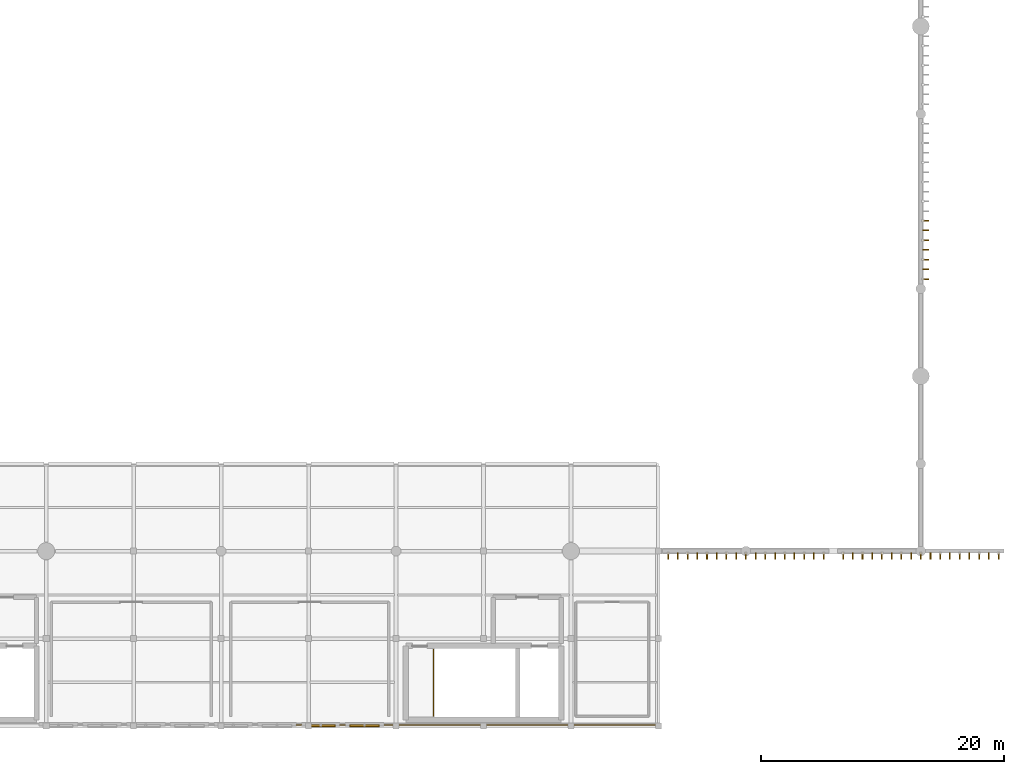
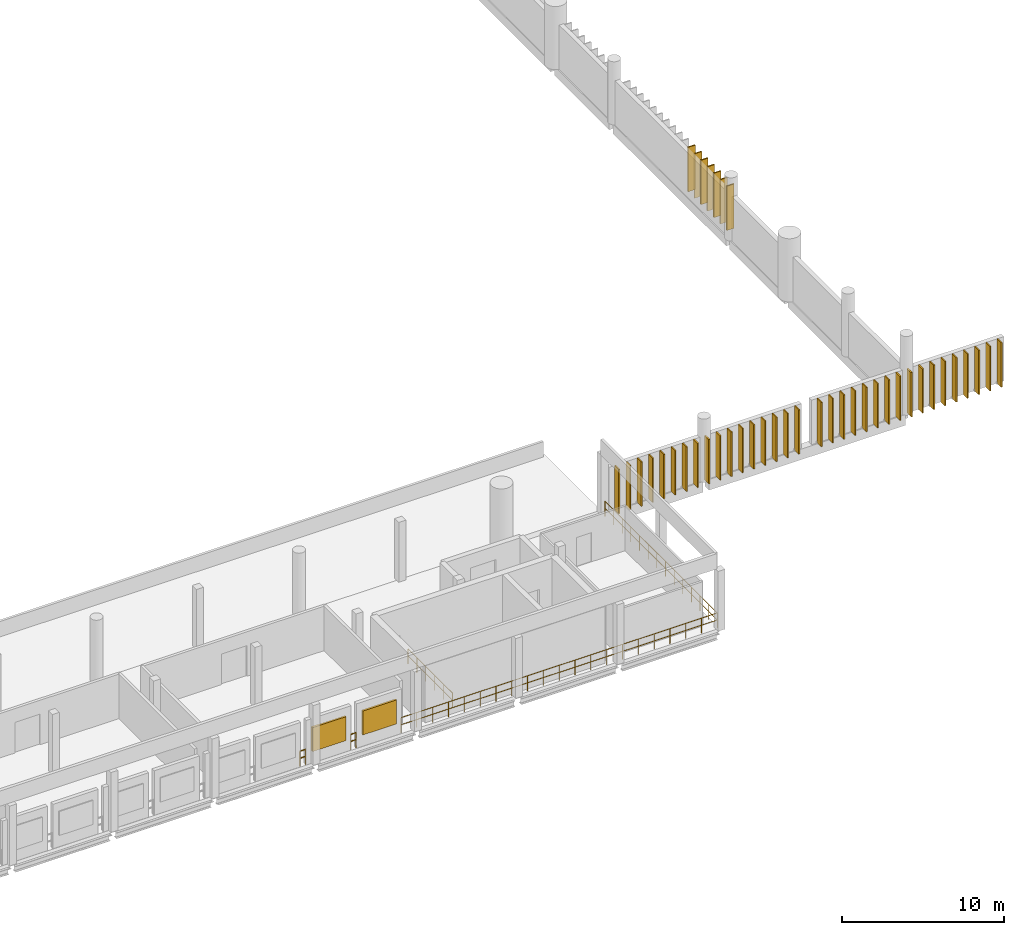
# One storey, part 60 of 64: 41 coverings, 24 shading devices, 4 railings.
"""IFC4 building model written with IfcOpenShell, lengths in metres."""

from ifc_helpers import new_model, si_unit, direction, frame, origin, origin_2d, place, context, subcontext, project, spatial, rectangle, circle, extrude, material, layer, layer_set, type_object, element, save


model = new_model("IFC4")

# Units and contexts
model_context = context("Model", 3, precision=1e-05, world=origin(), true_north=direction((0.0, 1.0)))
body_context = subcontext(model_context, "Body", "Model", "MODEL_VIEW")
ifc_project = project(units=[si_unit("LENGTHUNIT", "METRE"), si_unit("AREAUNIT", "SQUARE_METRE"), si_unit("VOLUMEUNIT", "CUBIC_METRE"), si_unit("PLANEANGLEUNIT", "RADIAN"), si_unit("MASSUNIT", "GRAM", prefix="KILO")], contexts=[model_context])

# Site, building, storey
site_placement = place(None, origin())
site = spatial("IfcSite", under=ifc_project, at=site_placement, CompositionType="ELEMENT")
building_placement = place(site_placement, origin())
building = spatial("IfcBuilding", under=site, at=building_placement, Name="Qandorah Velis Arena", CompositionType="ELEMENT")
storey_placement = place(building_placement, frame((0.0, 0.0, 23.0)))
storey = spatial("IfcBuildingStorey", under=building, at=storey_placement, Name="L05", CompositionType="ELEMENT", Elevation=23.0)

# Coverings
ifc_material_1 = material(Name="Champagne-bronze anodized aluminium 6063-T6", Category="aluminium")
ifc_layer_1 = layer(ifc_material_1, 0.0849609375)
ifc_layer_set_1 = layer_set([ifc_layer_1], Name="Champagne-bronze anodized aluminium 6063-T6")
covering_type = type_object("IfcCoveringType", Name="ARC-COV-FIN520", PredefinedType="CLADDING", material=ifc_layer_set_1)
for number, where, z_axis, x_axis, name in (
    (1, (115.60205078125, 36.800048828125, 0.0), (0.0, 0.0, 1.0), (1.0, 0.0, 0.0), "Vertical champagne-bronze solar fin blade DRM-2-03-L05-001"),
    (2, (115.60205078125, 37.60009765625, 0.0), (0.0, 0.0, 1.0), (1.0, 0.0, 0.0), "Vertical champagne-bronze solar fin blade DRM-2-03-L05-002"),
    (3, (115.60205078125, 38.39990234375, 0.0), (0.0, 0.0, 1.0), (1.0, 0.0, 0.0), "Vertical champagne-bronze solar fin blade DRM-2-03-L05-003"),
    (4, (115.60205078125, 39.199951171875, 0.0), (0.0, 0.0, 1.0), (1.0, 0.0, 0.0), "Vertical champagne-bronze solar fin blade DRM-2-03-L05-004"),
    (5, (115.60205078125, 40.0, 0.0), (0.0, 0.0, 1.0), (1.0, 0.0, 0.0), "Vertical champagne-bronze solar fin blade DRM-2-03-L05-005"),
    (6, (115.60205078125, 40.800048828125, 0.0), (0.0, 0.0, 1.0), (1.0, 0.0, 0.0), "Vertical champagne-bronze solar fin blade DRM-2-03-L05-006"),
    (7, (115.60205078125, 41.60009765625, 0.0), (0.0, 0.0, 1.0), (1.0, 0.0, 0.0), "Vertical champagne-bronze solar fin blade DRM-2-03-L05-007"),
):
    element("IfcCovering", number, at=place(storey_placement, frame(where, z_axis=z_axis, x_axis=x_axis)), inside=storey, type_object=covering_type, Name=name, PredefinedType="CLADDING", context=body_context, shape_type="SweptSolid", body=[
        extrude(rectangle(XDim=0.52001953125, YDim=0.0849609375, at=origin_2d()), origin(), (0.0, 0.0, 1.0), 3.340087890625),
    ])
for number, where, z_axis, x_axis, name in (
    (8, (94.39990234375, 13.998046875, 0.0), (0.0, 0.0, 1.0), (1.0, 0.0, 0.0), "Vertical champagne-bronze solar fin blade DRM-3-01-L05-001"),
    (9, (95.199951171875, 13.998046875, 0.0), (0.0, 0.0, 1.0), (1.0, 0.0, 0.0), "Vertical champagne-bronze solar fin blade DRM-3-01-L05-002"),
    (10, (96.0, 13.998046875, 0.0), (0.0, 0.0, 1.0), (1.0, 0.0, 0.0), "Vertical champagne-bronze solar fin blade DRM-3-01-L05-003"),
    (11, (96.800048828125, 13.998046875, 0.0), (0.0, 0.0, 1.0), (1.0, 0.0, 0.0), "Vertical champagne-bronze solar fin blade DRM-3-01-L05-004"),
    (12, (97.60009765625, 13.998046875, 0.0), (0.0, 0.0, 1.0), (1.0, 0.0, 0.0), "Vertical champagne-bronze solar fin blade DRM-3-01-L05-005"),
    (13, (98.39990234375, 13.998046875, 0.0), (0.0, 0.0, 1.0), (1.0, 0.0, 0.0), "Vertical champagne-bronze solar fin blade DRM-3-01-L05-006"),
    (14, (99.199951171875, 13.998046875, 0.0), (0.0, 0.0, 1.0), (1.0, 0.0, 0.0), "Vertical champagne-bronze solar fin blade DRM-3-01-L05-007"),
    (15, (100.0, 13.998046875, 0.0), (0.0, 0.0, 1.0), (1.0, 0.0, 0.0), "Vertical champagne-bronze solar fin blade DRM-3-01-L05-008"),
    (16, (100.800048828125, 13.998046875, 0.0), (0.0, 0.0, 1.0), (1.0, 0.0, 0.0), "Vertical champagne-bronze solar fin blade DRM-3-01-L05-009"),
    (17, (101.60009765625, 13.998046875, 0.0), (0.0, 0.0, 1.0), (1.0, 0.0, 0.0), "Vertical champagne-bronze solar fin blade DRM-3-01-L05-010"),
    (18, (102.39990234375, 13.998046875, 0.0), (0.0, 0.0, 1.0), (1.0, 0.0, 0.0), "Vertical champagne-bronze solar fin blade DRM-3-01-L05-011"),
    (19, (103.199951171875, 13.998046875, 0.0), (0.0, 0.0, 1.0), (1.0, 0.0, 0.0), "Vertical champagne-bronze solar fin blade DRM-3-01-L05-012"),
    (20, (104.0, 13.998046875, 0.0), (0.0, 0.0, 1.0), (1.0, 0.0, 0.0), "Vertical champagne-bronze solar fin blade DRM-3-01-L05-013"),
    (21, (104.800048828125, 13.998046875, 0.0), (0.0, 0.0, 1.0), (1.0, 0.0, 0.0), "Vertical champagne-bronze solar fin blade DRM-3-01-L05-014"),
    (22, (105.60009765625, 13.998046875, 0.0), (0.0, 0.0, 1.0), (1.0, 0.0, 0.0), "Vertical champagne-bronze solar fin blade DRM-3-01-L05-015"),
    (23, (106.39990234375, 13.998046875, 0.0), (0.0, 0.0, 1.0), (1.0, 0.0, 0.0), "Vertical champagne-bronze solar fin blade DRM-3-01-L05-016"),
    (24, (107.199951171875, 13.998046875, 0.0), (0.0, 0.0, 1.0), (1.0, 0.0, 0.0), "Vertical champagne-bronze solar fin blade DRM-3-01-L05-017"),
    (25, (108.800048828125, 13.998046875, 0.0), (0.0, 0.0, 1.0), (1.0, 0.0, 0.0), "Vertical champagne-bronze solar fin blade DRM-3-02-L05-001"),
    (26, (109.60009765625, 13.998046875, 0.0), (0.0, 0.0, 1.0), (1.0, 0.0, 0.0), "Vertical champagne-bronze solar fin blade DRM-3-02-L05-002"),
    (27, (110.39990234375, 13.998046875, 0.0), (0.0, 0.0, 1.0), (1.0, 0.0, 0.0), "Vertical champagne-bronze solar fin blade DRM-3-02-L05-003"),
    (28, (111.199951171875, 13.998046875, 0.0), (0.0, 0.0, 1.0), (1.0, 0.0, 0.0), "Vertical champagne-bronze solar fin blade DRM-3-02-L05-004"),
    (29, (112.0, 13.998046875, 0.0), (0.0, 0.0, 1.0), (1.0, 0.0, 0.0), "Vertical champagne-bronze solar fin blade DRM-3-02-L05-005"),
    (30, (112.800048828125, 13.998046875, 0.0), (0.0, 0.0, 1.0), (1.0, 0.0, 0.0), "Vertical champagne-bronze solar fin blade DRM-3-02-L05-006"),
    (31, (113.60009765625, 13.998046875, 0.0), (0.0, 0.0, 1.0), (1.0, 0.0, 0.0), "Vertical champagne-bronze solar fin blade DRM-3-02-L05-007"),
    (32, (114.39990234375, 13.998046875, 0.0), (0.0, 0.0, 1.0), (1.0, 0.0, 0.0), "Vertical champagne-bronze solar fin blade DRM-3-02-L05-008"),
    (33, (115.199951171875, 13.998046875, 0.0), (0.0, 0.0, 1.0), (1.0, 0.0, 0.0), "Vertical champagne-bronze solar fin blade DRM-3-02-L05-009"),
    (34, (116.0, 13.998046875, 0.0), (0.0, 0.0, 1.0), (1.0, 0.0, 0.0), "Vertical champagne-bronze solar fin blade DRM-3-02-L05-010"),
    (35, (116.800048828125, 13.998046875, 0.0), (0.0, 0.0, 1.0), (1.0, 0.0, 0.0), "Vertical champagne-bronze solar fin blade DRM-3-02-L05-011"),
    (36, (117.60009765625, 13.998046875, 0.0), (0.0, 0.0, 1.0), (1.0, 0.0, 0.0), "Vertical champagne-bronze solar fin blade DRM-3-02-L05-012"),
    (37, (118.39990234375, 13.998046875, 0.0), (0.0, 0.0, 1.0), (1.0, 0.0, 0.0), "Vertical champagne-bronze solar fin blade DRM-3-02-L05-013"),
    (38, (119.199951171875, 13.998046875, 0.0), (0.0, 0.0, 1.0), (1.0, 0.0, 0.0), "Vertical champagne-bronze solar fin blade DRM-3-02-L05-014"),
    (39, (120.0, 13.998046875, 0.0), (0.0, 0.0, 1.0), (1.0, 0.0, 0.0), "Vertical champagne-bronze solar fin blade DRM-3-02-L05-015"),
    (40, (120.800048828125, 13.998046875, 0.0), (0.0, 0.0, 1.0), (1.0, 0.0, 0.0), "Vertical champagne-bronze solar fin blade DRM-3-02-L05-016"),
    (41, (121.60009765625, 13.998046875, 0.0), (0.0, 0.0, 1.0), (1.0, 0.0, 0.0), "Vertical champagne-bronze solar fin blade DRM-3-02-L05-017"),
):
    element("IfcCovering", number, at=place(storey_placement, frame(where, z_axis=z_axis, x_axis=x_axis)), inside=storey, type_object=covering_type, Name=name, PredefinedType="CLADDING", context=body_context, shape_type="SweptSolid", body=[
        extrude(rectangle(XDim=0.0849609375, YDim=0.52001953125, at=origin_2d()), origin(), (0.0, 0.0, 1.0), 3.340087890625),
    ])

# Railings
ifc_material_2 = material(Name="Stainless steel 316", Category="steel")
railing_type = type_object("IfcRailingType", Name="ARC-RL-GRD1150", PredefinedType="GUARDRAIL", material=ifc_material_2)
railing_1_placement = place(storey_placement, frame((75.070068359375, 0.81005859375, 0.0)))
element("IfcRailing", 42, at=railing_1_placement, inside=storey, type_object=railing_type, Name="Stair ST2 top well guardrail L05", PredefinedType="GUARDRAIL", context=body_context, shape_type="SweptSolid", body=[
    extrude(circle(Radius=0.02392578125, at=origin_2d()), frame((0.0, 0.0, 1.1259765625), z_axis=(0.0, 1.0, 0.0), x_axis=(-1.0, 0.0, 0.0)), (0.0, 0.0, 1.0), 5.47998046875),
    extrude(circle(Radius=0.02392578125, at=origin_2d()), frame((0.0, 0.0, 0.597900390625), z_axis=(0.0, 1.0, 0.0), x_axis=(-1.0, 0.0, 0.0)), (0.0, 0.0, 1.0), 5.47998046875),
    extrude(circle(Radius=0.02099609375, at=origin_2d()), origin(), (0.0, 0.0, 1.0), 1.101806640625),
    extrude(circle(Radius=0.02099609375, at=origin_2d()), frame((0.0, 1.095947265625, 0.0)), (0.0, 0.0, 1.0), 1.101806640625),
    extrude(circle(Radius=0.02099609375, at=origin_2d()), frame((0.0, 2.19189453125, 0.0)), (0.0, 0.0, 1.0), 1.101806640625),
    extrude(circle(Radius=0.02099609375, at=origin_2d()), frame((0.0, 3.2880859375, 0.0)), (0.0, 0.0, 1.0), 1.101806640625),
    extrude(circle(Radius=0.02099609375, at=origin_2d()), frame((0.0, 4.384033203125, 0.0)), (0.0, 0.0, 1.0), 1.101806640625),
    extrude(circle(Radius=0.02099609375, at=origin_2d()), frame((0.0, 5.47998046875, 0.0)), (0.0, 0.0, 1.0), 1.101806640625),
])
railing_2_placement = place(storey_placement, frame((93.5, 13.949951171875, 0.0)))
element("IfcRailing", 43, at=railing_2_placement, inside=storey, type_object=railing_type, Name="Slab edge safety guardrail L05-273", PredefinedType="GUARDRAIL", context=body_context, shape_type="SweptSolid", body=[
    extrude(circle(Radius=0.02392578125, at=origin_2d()), frame((0.0, 0.0, 1.1259765625), z_axis=(0.0, -1.0, 0.0), x_axis=(1.0, 0.0, 0.0)), (0.0, 0.0, 1.0), 13.849853515625),
    extrude(circle(Radius=0.02392578125, at=origin_2d()), frame((0.0, 0.0, 0.597900390625), z_axis=(0.0, -1.0, 0.0), x_axis=(1.0, 0.0, 0.0)), (0.0, 0.0, 1.0), 13.849853515625),
    extrude(circle(Radius=0.02392578125, at=origin_2d()), frame((0.0, -13.849853515625, 1.1259765625), z_axis=(-1.0, 0.0, 0.0), x_axis=(0.0, -1.0, 0.0)), (0.0, 0.0, 1.0), 22.5),
    extrude(circle(Radius=0.02392578125, at=origin_2d()), frame((0.0, -13.849853515625, 0.597900390625), z_axis=(-1.0, 0.0, 0.0), x_axis=(0.0, -1.0, 0.0)), (0.0, 0.0, 1.0), 22.5),
    extrude(circle(Radius=0.02099609375, at=origin_2d()), origin(), (0.0, 0.0, 1.0), 1.101806640625),
    extrude(circle(Radius=0.02099609375, at=origin_2d()), frame((0.0, -1.0654296875, 0.0)), (0.0, 0.0, 1.0), 1.101806640625),
    extrude(circle(Radius=0.02099609375, at=origin_2d()), frame((0.0, -2.130859375, 0.0)), (0.0, 0.0, 1.0), 1.101806640625),
    extrude(circle(Radius=0.02099609375, at=origin_2d()), frame((0.0, -3.196044921875, 0.0)), (0.0, 0.0, 1.0), 1.101806640625),
    extrude(circle(Radius=0.02099609375, at=origin_2d()), frame((0.0, -4.261474609375, 0.0)), (0.0, 0.0, 1.0), 1.101806640625),
    extrude(circle(Radius=0.02099609375, at=origin_2d()), frame((0.0, -5.326904296875, 0.0)), (0.0, 0.0, 1.0), 1.101806640625),
    extrude(circle(Radius=0.02099609375, at=origin_2d()), frame((0.0, -6.392333984375, 0.0)), (0.0, 0.0, 1.0), 1.101806640625),
    extrude(circle(Radius=0.02099609375, at=origin_2d()), frame((0.0, -7.45751953125, 0.0)), (0.0, 0.0, 1.0), 1.101806640625),
    extrude(circle(Radius=0.02099609375, at=origin_2d()), frame((0.0, -8.52294921875, 0.0)), (0.0, 0.0, 1.0), 1.101806640625),
    extrude(circle(Radius=0.02099609375, at=origin_2d()), frame((0.0, -9.58837890625, 0.0)), (0.0, 0.0, 1.0), 1.101806640625),
    extrude(circle(Radius=0.02099609375, at=origin_2d()), frame((0.0, -10.65380859375, 0.0)), (0.0, 0.0, 1.0), 1.101806640625),
    extrude(circle(Radius=0.02099609375, at=origin_2d()), frame((0.0, -11.718994140625, 0.0)), (0.0, 0.0, 1.0), 1.101806640625),
    extrude(circle(Radius=0.02099609375, at=origin_2d()), frame((0.0, -12.784423828125, 0.0)), (0.0, 0.0, 1.0), 1.101806640625),
    extrude(circle(Radius=0.02099609375, at=origin_2d()), frame((0.0, -13.849853515625, 0.0)), (0.0, 0.0, 1.0), 1.101806640625),
    extrude(circle(Radius=0.02099609375, at=origin_2d()), frame((-1.125, -13.849853515625, 0.0)), (0.0, 0.0, 1.0), 1.101806640625),
    extrude(circle(Radius=0.02099609375, at=origin_2d()), frame((-2.25, -13.849853515625, 0.0)), (0.0, 0.0, 1.0), 1.101806640625),
    extrude(circle(Radius=0.02099609375, at=origin_2d()), frame((-3.375, -13.849853515625, 0.0)), (0.0, 0.0, 1.0), 1.101806640625),
    extrude(circle(Radius=0.02099609375, at=origin_2d()), frame((-4.5, -13.849853515625, 0.0)), (0.0, 0.0, 1.0), 1.101806640625),
    extrude(circle(Radius=0.02099609375, at=origin_2d()), frame((-5.625, -13.849853515625, 0.0)), (0.0, 0.0, 1.0), 1.101806640625),
    extrude(circle(Radius=0.02099609375, at=origin_2d()), frame((-6.75, -13.849853515625, 0.0)), (0.0, 0.0, 1.0), 1.101806640625),
    extrude(circle(Radius=0.02099609375, at=origin_2d()), frame((-7.875, -13.849853515625, 0.0)), (0.0, 0.0, 1.0), 1.101806640625),
    extrude(circle(Radius=0.02099609375, at=origin_2d()), frame((-9.0, -13.849853515625, 0.0)), (0.0, 0.0, 1.0), 1.101806640625),
    extrude(circle(Radius=0.02099609375, at=origin_2d()), frame((-10.125, -13.849853515625, 0.0)), (0.0, 0.0, 1.0), 1.101806640625),
    extrude(circle(Radius=0.02099609375, at=origin_2d()), frame((-11.25, -13.849853515625, 0.0)), (0.0, 0.0, 1.0), 1.101806640625),
    extrude(circle(Radius=0.02099609375, at=origin_2d()), frame((-12.375, -13.849853515625, 0.0)), (0.0, 0.0, 1.0), 1.101806640625),
    extrude(circle(Radius=0.02099609375, at=origin_2d()), frame((-13.5, -13.849853515625, 0.0)), (0.0, 0.0, 1.0), 1.101806640625),
    extrude(circle(Radius=0.02099609375, at=origin_2d()), frame((-14.625, -13.849853515625, 0.0)), (0.0, 0.0, 1.0), 1.101806640625),
    extrude(circle(Radius=0.02099609375, at=origin_2d()), frame((-15.75, -13.849853515625, 0.0)), (0.0, 0.0, 1.0), 1.101806640625),
    extrude(circle(Radius=0.02099609375, at=origin_2d()), frame((-16.875, -13.849853515625, 0.0)), (0.0, 0.0, 1.0), 1.101806640625),
    extrude(circle(Radius=0.02099609375, at=origin_2d()), frame((-18.0, -13.849853515625, 0.0)), (0.0, 0.0, 1.0), 1.101806640625),
    extrude(circle(Radius=0.02099609375, at=origin_2d()), frame((-19.125, -13.849853515625, 0.0)), (0.0, 0.0, 1.0), 1.101806640625),
    extrude(circle(Radius=0.02099609375, at=origin_2d()), frame((-20.25, -13.849853515625, 0.0)), (0.0, 0.0, 1.0), 1.101806640625),
    extrude(circle(Radius=0.02099609375, at=origin_2d()), frame((-21.375, -13.849853515625, 0.0)), (0.0, 0.0, 1.0), 1.101806640625),
    extrude(circle(Radius=0.02099609375, at=origin_2d()), frame((-22.5, -13.849853515625, 0.0)), (0.0, 0.0, 1.0), 1.101806640625),
])
railing_3_placement = place(storey_placement, frame((67.800048828125, 0.10009765625, 0.0)))
element("IfcRailing", 44, at=railing_3_placement, inside=storey, type_object=railing_type, Name="Slab edge safety guardrail L05-274", PredefinedType="GUARDRAIL", context=body_context, shape_type="SweptSolid", body=[
    extrude(circle(Radius=0.02392578125, at=origin_2d()), frame((0.0, 0.0, 1.1259765625), z_axis=(-1.0, 0.0, 0.0), x_axis=(0.0, -1.0, 0.0)), (0.0, 0.0, 1.0), 0.400146484375),
    extrude(circle(Radius=0.02392578125, at=origin_2d()), frame((0.0, 0.0, 0.597900390625), z_axis=(-1.0, 0.0, 0.0), x_axis=(0.0, -1.0, 0.0)), (0.0, 0.0, 1.0), 0.400146484375),
    extrude(circle(Radius=0.02099609375, at=origin_2d()), origin(), (0.0, 0.0, 1.0), 1.101806640625),
    extrude(circle(Radius=0.02099609375, at=origin_2d()), frame((-0.400146484375, 0.0, 0.0)), (0.0, 0.0, 1.0), 1.101806640625),
])
railing_4_placement = place(storey_placement, frame((64.199951171875, 0.10009765625, 0.0)))
element("IfcRailing", 45, at=railing_4_placement, inside=storey, type_object=railing_type, Name="Slab edge safety guardrail L05-275", PredefinedType="GUARDRAIL", context=body_context, shape_type="SweptSolid", body=[
    extrude(circle(Radius=0.02392578125, at=origin_2d()), frame((0.0, 0.0, 1.1259765625), z_axis=(-1.0, 0.0, 0.0), x_axis=(0.0, -1.0, 0.0)), (0.0, 0.0, 1.0), 0.39990234375),
    extrude(circle(Radius=0.02392578125, at=origin_2d()), frame((0.0, 0.0, 0.597900390625), z_axis=(-1.0, 0.0, 0.0), x_axis=(0.0, -1.0, 0.0)), (0.0, 0.0, 1.0), 0.39990234375),
    extrude(circle(Radius=0.02099609375, at=origin_2d()), origin(), (0.0, 0.0, 1.0), 1.101806640625),
    extrude(circle(Radius=0.02099609375, at=origin_2d()), frame((-0.39990234375, 0.0, 0.0)), (0.0, 0.0, 1.0), 1.101806640625),
])

# Shading devices
shading_device_type_1 = type_object("IfcShadingDeviceType", Name="ARC-SHD-FIN520", PredefinedType="USERDEFINED", material=ifc_material_1)
for number, where, z_axis, x_axis, name in (
    (46, (115.60205078125, 36.800048828125, 0.0), (0.0, 0.0, 1.0), (1.0, 0.0, 0.0), "Vertical aerofoil solar fin SF-0010"),
    (47, (115.60205078125, 38.39990234375, 0.0), (0.0, 0.0, 1.0), (1.0, 0.0, 0.0), "Vertical aerofoil solar fin SF-0011"),
    (48, (115.60205078125, 40.0, 0.0), (0.0, 0.0, 1.0), (1.0, 0.0, 0.0), "Vertical aerofoil solar fin SF-0012"),
    (49, (115.60205078125, 41.60009765625, 0.0), (0.0, 0.0, 1.0), (1.0, 0.0, 0.0), "Vertical aerofoil solar fin SF-0013"),
):
    element("IfcShadingDevice", number, at=place(storey_placement, frame(where, z_axis=z_axis, x_axis=x_axis)), inside=storey, type_object=shading_device_type_1, Name=name, ObjectType="SOLAR FIN", PredefinedType="USERDEFINED", context=body_context, shape_type="SweptSolid", body=[
        extrude(rectangle(XDim=0.52001953125, YDim=0.0849609375, at=origin_2d()), origin(), (0.0, 0.0, 1.0), 3.340087890625),
    ])
for number, where, z_axis, x_axis, name in (
    (50, (94.39990234375, 13.998046875, 0.0), (0.0, 0.0, 1.0), (1.0, 0.0, 0.0), "Vertical aerofoil solar fin SF-0108"),
    (51, (96.0, 13.998046875, 0.0), (0.0, 0.0, 1.0), (1.0, 0.0, 0.0), "Vertical aerofoil solar fin SF-0109"),
    (52, (97.60009765625, 13.998046875, 0.0), (0.0, 0.0, 1.0), (1.0, 0.0, 0.0), "Vertical aerofoil solar fin SF-0110"),
    (53, (99.199951171875, 13.998046875, 0.0), (0.0, 0.0, 1.0), (1.0, 0.0, 0.0), "Vertical aerofoil solar fin SF-0111"),
    (54, (100.800048828125, 13.998046875, 0.0), (0.0, 0.0, 1.0), (1.0, 0.0, 0.0), "Vertical aerofoil solar fin SF-0112"),
    (55, (102.39990234375, 13.998046875, 0.0), (0.0, 0.0, 1.0), (1.0, 0.0, 0.0), "Vertical aerofoil solar fin SF-0113"),
    (56, (104.0, 13.998046875, 0.0), (0.0, 0.0, 1.0), (1.0, 0.0, 0.0), "Vertical aerofoil solar fin SF-0114"),
    (57, (105.60009765625, 13.998046875, 0.0), (0.0, 0.0, 1.0), (1.0, 0.0, 0.0), "Vertical aerofoil solar fin SF-0115"),
    (58, (107.199951171875, 13.998046875, 0.0), (0.0, 0.0, 1.0), (1.0, 0.0, 0.0), "Vertical aerofoil solar fin SF-0116"),
    (59, (108.800048828125, 13.998046875, 0.0), (0.0, 0.0, 1.0), (1.0, 0.0, 0.0), "Vertical aerofoil solar fin SF-0126"),
    (60, (110.39990234375, 13.998046875, 0.0), (0.0, 0.0, 1.0), (1.0, 0.0, 0.0), "Vertical aerofoil solar fin SF-0127"),
    (61, (112.0, 13.998046875, 0.0), (0.0, 0.0, 1.0), (1.0, 0.0, 0.0), "Vertical aerofoil solar fin SF-0128"),
    (62, (113.60009765625, 13.998046875, 0.0), (0.0, 0.0, 1.0), (1.0, 0.0, 0.0), "Vertical aerofoil solar fin SF-0129"),
    (63, (115.199951171875, 13.998046875, 0.0), (0.0, 0.0, 1.0), (1.0, 0.0, 0.0), "Vertical aerofoil solar fin SF-0130"),
    (64, (116.800048828125, 13.998046875, 0.0), (0.0, 0.0, 1.0), (1.0, 0.0, 0.0), "Vertical aerofoil solar fin SF-0131"),
    (65, (118.39990234375, 13.998046875, 0.0), (0.0, 0.0, 1.0), (1.0, 0.0, 0.0), "Vertical aerofoil solar fin SF-0132"),
    (66, (120.0, 13.998046875, 0.0), (0.0, 0.0, 1.0), (1.0, 0.0, 0.0), "Vertical aerofoil solar fin SF-0133"),
    (67, (121.60009765625, 13.998046875, 0.0), (0.0, 0.0, 1.0), (1.0, 0.0, 0.0), "Vertical aerofoil solar fin SF-0134"),
):
    element("IfcShadingDevice", number, at=place(storey_placement, frame(where, z_axis=z_axis, x_axis=x_axis)), inside=storey, type_object=shading_device_type_1, Name=name, ObjectType="SOLAR FIN", PredefinedType="USERDEFINED", context=body_context, shape_type="SweptSolid", body=[
        extrude(rectangle(XDim=0.0849609375, YDim=0.52001953125, at=origin_2d()), origin(), (0.0, 0.0, 1.0), 3.340087890625),
    ])
ifc_layer_2 = layer(ifc_material_1, 0.14990234375)
ifc_layer_set_2 = layer_set([ifc_layer_2], Name="Champagne-bronze anodized aluminium 6063-T6")
shading_device_type_2 = type_object("IfcShadingDeviceType", Name="ARC-SHD-LVR150", PredefinedType="JALOUSIE", material=ifc_layer_set_2)
for number, where, z_axis, x_axis, name in (
    (68, (65.800048828125, 0.02001953125, 0.89990234375), (0.0, 0.0, 1.0), (1.0, 0.0, 0.0), "Smoke-extract intake acoustic louvre ALV-07"),
    (69, (69.39990234375, 0.02001953125, 0.89990234375), (0.0, 0.0, 1.0), (1.0, 0.0, 0.0), "Smoke-extract intake acoustic louvre ALV-08"),
):
    element("IfcShadingDevice", number, at=place(storey_placement, frame(where, z_axis=z_axis, x_axis=x_axis)), inside=storey, type_object=shading_device_type_2, Name=name, PredefinedType="JALOUSIE", context=body_context, shape_type="SweptSolid", body=[
        extrude(rectangle(XDim=2.39990234375, YDim=0.14990234375, at=origin_2d()), origin(), (0.0, 0.0, 1.0), 1.800048828125),
    ])

save(model, "model.ifc")
